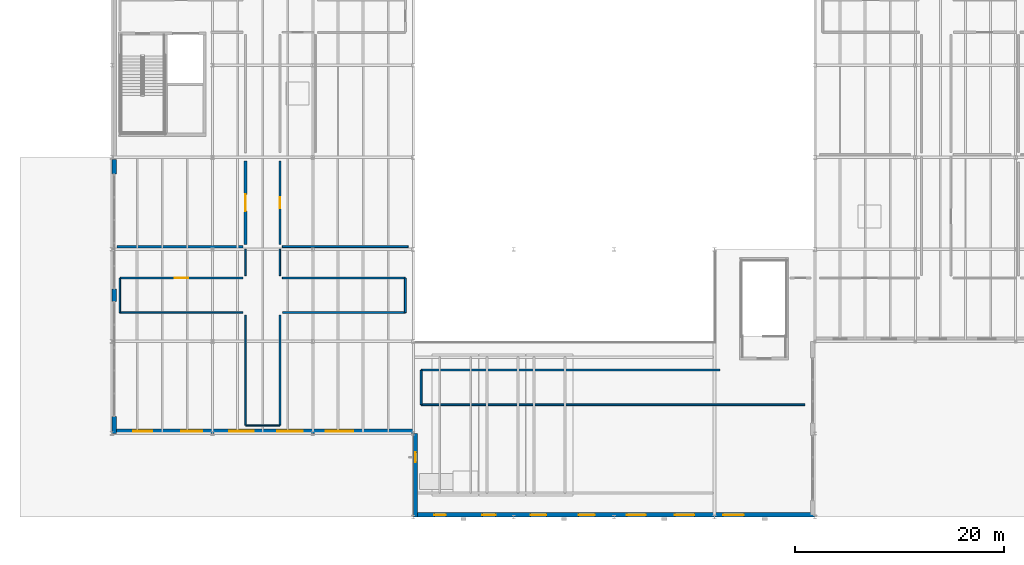
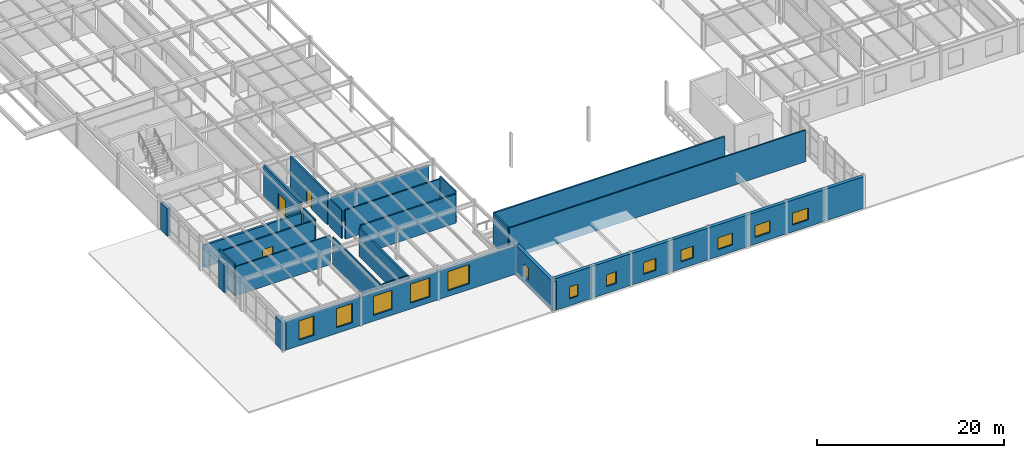
# One storey, part 55 of 77: 24 walls, 13 windows, 3 doors, 16 openings.
"""IFC4 building model written with IfcOpenShell, lengths in metres."""

import ifcopenshell
import ifcopenshell.guid

model = None  # the IFC model being written
_history = None  # IfcOwnerHistory: only IFC2X3 demands one
_inside = {}  # id of a spatial element -> (the spatial element, [elements in it])
_under = {}  # id of a project, library or spatial element -> (it, [spatial elements below it])
_declared = {}  # id of a project -> (the project, [libraries it declares])
_typed = {}  # id of a type object -> (the type object, [elements of that type])
_made_of = {}  # id of a material, layer set ... -> (it, [elements and type objects made of it])


def new_model(schema):
    """Start an empty IFC model of exactly this schema.

    Asked for "IFC4X3", IfcOpenShell would pick the latest addendum, in which some entities
    have other attributes; the version numbers below select the first issue.
    IFC2X3 requires an IfcOwnerHistory on every rooted entity: one is made here for all.
    """
    global model, _history
    if schema == "IFC4X3":
        model = ifcopenshell.file(schema_version=(4, 3, 0, 0))
    else:
        model = ifcopenshell.file(schema=schema)
    _inside.clear()
    _under.clear()
    _declared.clear()
    _typed.clear()
    _made_of.clear()
    _history = None
    if model.schema == "IFC2X3":
        org = make("IfcOrganization", Name="unknown")
        user = make(
            "IfcPersonAndOrganization",
            ThePerson=make("IfcPerson", FamilyName="unknown"),
            TheOrganization=org,
        )
        app = make(
            "IfcApplication",
            ApplicationDeveloper=org,
            Version="unknown",
            ApplicationFullName="unknown",
            ApplicationIdentifier="unknown",
        )
        _history = make(
            "IfcOwnerHistory",
            OwningUser=user,
            OwningApplication=app,
            ChangeAction="ADDED",
            CreationDate=0,
        )
    return model


def make(cls, **values):
    """One entity of the class cls with the attributes given. An attribute that is None is left unset."""
    return model.create_entity(
        cls, **{name: value for name, value in values.items() if value is not None}
    )


def rooted(cls, **values):
    """An entity with a GlobalId (a new one), such as an element, a storey or a relation."""
    return make(cls, GlobalId=ifcopenshell.guid.new(), OwnerHistory=_history, **values)


def si_unit(unit_type, name, prefix=None):
    """IfcSIUnit, for example si_unit("LENGTHUNIT", "METRE", prefix="MILLI")."""
    return make("IfcSIUnit", UnitType=unit_type, Prefix=prefix, Name=name)


def assignment(units):
    """IfcUnitAssignment: the units of a project."""
    return None if units is None else make("IfcUnitAssignment", Units=units)


def point(xyz):
    """IfcCartesianPoint."""
    return None if xyz is None else make("IfcCartesianPoint", Coordinates=xyz)


def direction(xyz):
    """IfcDirection."""
    return None if xyz is None else make("IfcDirection", DirectionRatios=xyz)


def frame(location, z_axis=None, x_axis=None):
    """IfcAxis2Placement3D, a coordinate frame: its origin and axes. An axis left out is left unset."""
    return make(
        "IfcAxis2Placement3D",
        Location=point(location),
        Axis=direction(z_axis),
        RefDirection=direction(x_axis),
    )


def frame_2d(location, x_axis=None):
    """IfcAxis2Placement2D, a coordinate frame in the plane: its origin and x axis."""
    return make(
        "IfcAxis2Placement2D", Location=point(location), RefDirection=direction(x_axis)
    )


def origin():
    """The frame at (0, 0, 0) with its axes left unset."""
    return frame((0.0, 0.0, 0.0))


def place(relative_to, where):
    """IfcLocalPlacement: puts the frame where relative to a parent placement (None: the world)."""
    return make(
        "IfcLocalPlacement", PlacementRelTo=relative_to, RelativePlacement=where
    )


def context(
    kind, dimensions, precision=None, world=None, true_north=None, identifier=None
):
    """IfcGeometricRepresentationContext, for example the 3D "Model" context."""
    return make(
        "IfcGeometricRepresentationContext",
        ContextIdentifier=identifier,
        ContextType=kind,
        CoordinateSpaceDimension=dimensions,
        Precision=precision,
        WorldCoordinateSystem=world,
        TrueNorth=true_north,
    )


def subcontext(parent, identifier, kind, view, scale=None):
    """IfcGeometricRepresentationSubContext, for example "Body" below "Model"."""
    return make(
        "IfcGeometricRepresentationSubContext",
        ContextIdentifier=identifier,
        ContextType=kind,
        ParentContext=parent,
        TargetScale=scale,
        TargetView=view,
    )


def project(units=None, contexts=None):
    """IfcProject with its units and contexts."""
    return rooted(
        "IfcProject",
        Name="project",
        RepresentationContexts=contexts,
        UnitsInContext=assignment(units),
    )


def spatial(cls, under=None, at=None, **own):
    """A site, building, storey or space (cls), placed at a placement, below another one or the project."""
    s = rooted(cls, ObjectPlacement=at, **own)
    if under is not None:
        _under.setdefault(under.id(), (under, []))[1].append(s)
    return s


def profile(cls, at=None, kind="AREA", **sizes):
    """A parametric profile (cls). Its sizes go by their IFC names, for example OverallWidth=200.0."""
    return make(cls, ProfileType=kind, Position=at, **sizes)


def rectangle(**sizes):
    """IfcRectangleProfileDef."""
    return profile("IfcRectangleProfileDef", **sizes)


def extrude(swept, where, along, depth):
    """IfcExtrudedAreaSolid: the profile swept, set in the frame where, extruded along a direction by depth."""
    return make(
        "IfcExtrudedAreaSolid",
        SweptArea=swept,
        Position=where,
        ExtrudedDirection=direction(along),
        Depth=depth,
    )


def shape(context_of_items, identifier, shape_type, items):
    """IfcShapeRepresentation: the items that make up one representation, for example the "Body"."""
    return make(
        "IfcShapeRepresentation",
        ContextOfItems=context_of_items,
        RepresentationIdentifier=identifier,
        RepresentationType=shape_type,
        Items=items,
    )


def material(Name=None, Category=None):
    """IfcMaterial."""
    return make("IfcMaterial", Name=Name, Category=Category)


def layer(
    of_material, thickness, ventilated=None, Name=None, Category=None, Priority=None
):
    """IfcMaterialLayer: one layer of a wall or slab, of a material (None: an air gap)."""
    return make(
        "IfcMaterialLayer",
        Material=of_material,
        LayerThickness=thickness,
        IsVentilated=ventilated,
        Name=Name,
        Category=Category,
        Priority=Priority,
    )


def layer_set(layers, Name=None):
    """IfcMaterialLayerSet."""
    return make("IfcMaterialLayerSet", MaterialLayers=layers, LayerSetName=Name)


def made_of(thing, what):
    """Note that an element or type object is made of a material, layer set ...; save() writes the relation."""
    if what is not None:
        _made_of.setdefault(what.id(), (what, []))[1].append(thing)
    return thing


def type_object(cls, material=None, **own):
    """A type object (cls), such as IfcWallType, which elements share."""
    return made_of(rooted(cls, **own), material)


def element(
    cls,
    number,
    at=None,
    inside=None,
    cuts=None,
    type_object=None,
    material=None,
    context=None,
    identifier="Body",
    shape_type=None,
    held_by="IfcProductDefinitionShape",
    body=None,
    shapes=None,
    **own,
):
    """One element of the class cls, such as IfcWall. Its Tag is "e" and its number.

    at: its placement. inside: the storey or other place that contains it. cuts: it is an
    opening in that element (IfcRelVoidsElement). A single representation is given by context,
    identifier, shape_type and body (its items); several are given by shapes. held_by: the class
    of the entity that holds the representations. save() writes the other relations.
    """
    e = rooted(cls, Tag="e%d" % number, ObjectPlacement=at, **own)
    if body is not None:
        shapes = [shape(context, identifier, shape_type, body)]
    if shapes is not None:
        e.Representation = make(held_by, Representations=shapes)
    if inside is not None:
        _inside.setdefault(inside.id(), (inside, []))[1].append(e)
    if cuts is not None:
        rooted(
            "IfcRelVoidsElement", RelatingBuildingElement=cuts, RelatedOpeningElement=e
        )
    if type_object is not None:
        _typed.setdefault(type_object.id(), (type_object, []))[1].append(e)
    return made_of(e, material)


def fill(opening, filler):
    """IfcRelFillsElement: the door or window that sits in an opening."""
    return rooted(
        "IfcRelFillsElement",
        RelatingOpeningElement=opening,
        RelatedBuildingElement=filler,
    )


def aggregate(whole, parts):
    """IfcRelAggregates: a whole, such as a stair, and the parts it consists of."""
    return rooted("IfcRelAggregates", RelatingObject=whole, RelatedObjects=parts)


def save(model, path):
    """Write the relations noted so far, then the file.

    IfcRelAggregates (storeys below a building ...), IfcRelContainedInSpatialStructure (elements
    in a storey), IfcRelDefinesByType, IfcRelAssociatesMaterial and IfcRelDeclares: one each for
    every whole, place, type object, material and project.
    """
    for whole, parts in _under.values():
        aggregate(whole, parts)
    for where, things in _inside.values():
        rooted(
            "IfcRelContainedInSpatialStructure",
            RelatedElements=things,
            RelatingStructure=where,
        )
    for kind, things in _typed.values():
        rooted("IfcRelDefinesByType", RelatedObjects=things, RelatingType=kind)
    for what, things in _made_of.values():
        rooted("IfcRelAssociatesMaterial", RelatedObjects=things, RelatingMaterial=what)
    for by, libraries in _declared.values():
        rooted("IfcRelDeclares", RelatingContext=by, RelatedDefinitions=libraries)
    model.write(path)


model = new_model("IFC4")

# Units and contexts
model_context = context("Model", 3, precision=1e-05, world=origin(), true_north=direction((0.0, 1.0)))
body_context = subcontext(model_context, "Body", "Model", "MODEL_VIEW")
ifc_project = project(units=[si_unit("LENGTHUNIT", "METRE"), si_unit("AREAUNIT", "SQUARE_METRE"), si_unit("VOLUMEUNIT", "CUBIC_METRE"), si_unit("PLANEANGLEUNIT", "RADIAN"), si_unit("MASSUNIT", "GRAM", prefix="KILO")], contexts=[model_context])

# Site, building, storey
site_placement = place(None, origin())
site = spatial("IfcSite", under=ifc_project, at=site_placement, CompositionType="ELEMENT")
building_placement = place(site_placement, origin())
building = spatial("IfcBuilding", under=site, at=building_placement, Name="Sarnbrook Museum", CompositionType="ELEMENT")
storey_placement = place(building_placement, frame((0.0, 0.0, 5.60009765625)))
storey = spatial("IfcBuildingStorey", under=building, at=storey_placement, Name="L01", CompositionType="ELEMENT", Elevation=5.60009765625)

# Wall, opening, door
ifc_material_1 = material(Name="Concrete N40 (AS 3600, f'c = 40 MPa)", Category="concrete")
ifc_layer_1 = layer(ifc_material_1, 0.260009765625)
ifc_layer_set_1 = layer_set([ifc_layer_1], Name="Concrete N40 (AS 3600, f'c = 40 MPa)")
wall_type_1 = type_object("IfcWallType", Name="FireWall_FW240", PredefinedType="SOLIDWALL", material=ifc_layer_set_1)
wall_1_placement = place(storey_placement, frame((26.35009765625, 38.840087890625, 0.0), z_axis=(0.0, 0.0, 1.0), x_axis=(0.0, -1.0, 0.0)))
wall_1 = element("IfcWall", 1, at=wall_1_placement, inside=storey, type_object=wall_type_1, Name="Interior Partition Wall L01-0419", PredefinedType="SOLIDWALL", context=body_context, shape_type="SweptSolid", body=[
    extrude(rectangle(XDim=7.989990234375, YDim=0.260009765625, at=frame_2d((3.9951171875, 0.0))), origin(), (0.0, 0.0, 1.0), 4.1298828125),
])
opening_1_placement = place(wall_1_placement, frame((3.195068359375, 0.0, 0.0)))
opening_1 = element("IfcOpeningElement", 2, at=opening_1_placement, cuts=wall_1, Name="Opening D-L01-133", PredefinedType="OPENING", context=body_context, shape_type="SweptSolid", body=[
    extrude(rectangle(XDim=1.60009765625, YDim=2.39990234375, at=frame_2d((0.800048828125, 1.199951171875))), frame((0.0, 0.14013671875, 0.0), z_axis=(0.0, -1.0, 0.0), x_axis=(1.0, 0.0, 0.0)), (0.0, 0.0, 1.0), 0.280029296875),
])
ifc_material_2 = material(Name="Patinated Architectural Bronze")
door_type_1 = type_object("IfcDoorType", Name="FireDoor_FD240", OperationType="NOTDEFINED", PredefinedType="DOOR", material=ifc_material_2)
door_1_placement = place(opening_1_placement, origin())
door_1 = element("IfcDoor", 3, at=door_1_placement, inside=storey, type_object=door_type_1, Name="Collection Archive Vault L01-41 Door D-L01-133", OperationType="DOUBLE_DOOR_SINGLE_SWING", OverallHeight=2.39990234375, OverallWidth=1.60009765625, PredefinedType="DOOR", context=body_context, shape_type="SweptSolid", body=[
    extrude(rectangle(XDim=1.60009765625, YDim=2.39990234375, at=frame_2d((0.800048828125, 1.199951171875))), frame((0.0, 0.02490234375, 0.0), z_axis=(0.0, -1.0, 0.0), x_axis=(1.0, 0.0, 0.0)), (0.0, 0.0, 1.0), 0.050048828125),
])
fill(opening_1, door_1)

# Walls
wall_2_placement = place(storey_placement, frame((14.080078125, 30.659912109375, 0.0), z_axis=(0.0, 0.0, 1.0), x_axis=(1.0, 0.0, 0.0)))
element("IfcWall", 4, at=wall_2_placement, inside=storey, type_object=wall_type_1, Name="Interior Partition Wall L01-0449", PredefinedType="SOLIDWALL", context=body_context, shape_type="SweptSolid", body=[
    extrude(rectangle(XDim=12.0400390625, YDim=0.260009765625, at=frame_2d((6.02001953125, 0.0))), origin(), (0.0, 0.0, 1.0), 2.89990234375),
])
ifc_material_3 = material(Name="Fire-Rated Acoustic Gypsum Plasterboard")
ifc_layer_2 = layer(ifc_material_3, 0.1201171875)
ifc_layer_set_2 = layer_set([ifc_layer_2], Name="Fire-Rated Acoustic Gypsum Plasterboard")
wall_type_2 = type_object("IfcWallType", Name="PartWall_P120", PredefinedType="PARTITIONING", material=ifc_layer_set_2)
wall_3_placement = place(storey_placement, frame((26.360107421875, 13.550048828125, 0.0), z_axis=(0.0, 0.0, 1.0), x_axis=(1.0, 0.0, 0.0)))
element("IfcWall", 5, at=wall_3_placement, inside=storey, type_object=wall_type_2, Name="Interior Partition Wall L01-0412", PredefinedType="PARTITIONING", context=body_context, shape_type="SweptSolid", body=[
    extrude(rectangle(XDim=3.27978515625, YDim=0.1201171875, at=frame_2d((1.639892578125, 0.0))), origin(), (0.0, 0.0, 1.0), 3.90380859375),
])
ifc_layer_3 = layer(ifc_material_3, 0.135009765625)
ifc_layer_set_3 = layer_set([ifc_layer_3], Name="Fire-Rated Acoustic Gypsum Plasterboard")
wall_type_3 = type_object("IfcWallType", Name="PartWall_P135", PredefinedType="PARTITIONING", material=ifc_layer_set_3)
wall_4_placement = place(storey_placement, frame((26.35009765625, 24.1201171875, 0.0), z_axis=(0.0, 0.0, 1.0), x_axis=(0.0, -1.0, 0.0)))
element("IfcWall", 6, at=wall_4_placement, inside=storey, type_object=wall_type_3, Name="Interior Partition Wall L01-0411", PredefinedType="PARTITIONING", context=body_context, shape_type="SweptSolid", body=[
    extrude(rectangle(XDim=10.56005859375, YDim=0.135009765625, at=frame_2d((5.280029296875, 0.0))), origin(), (0.0, 0.0, 1.0), 3.65283203125),
])
wall_5_placement = place(storey_placement, frame((26.35009765625, 30.429931640625, 0.0), z_axis=(0.0, 0.0, 1.0), x_axis=(0.0, -1.0, 0.0)))
element("IfcWall", 7, at=wall_5_placement, inside=storey, type_object=wall_type_3, Name="Interior Partition Wall L01-0418", PredefinedType="PARTITIONING", context=body_context, shape_type="SweptSolid", body=[
    extrude(rectangle(XDim=2.550048828125, YDim=0.135009765625, at=frame_2d((1.27490234375, 0.0))), origin(), (0.0, 0.0, 1.0), 3.65283203125),
])
ifc_layer_4 = layer(ifc_material_3, 0.14990234375)
ifc_layer_set_4 = layer_set([ifc_layer_4], Name="Fire-Rated Acoustic Gypsum Plasterboard")
wall_type_4 = type_object("IfcWallType", Name="PartWall_P150", PredefinedType="PARTITIONING", material=ifc_layer_set_4)
wall_6_placement = place(storey_placement, frame((14.360107421875, 24.35009765625, 0.0), z_axis=(0.0, 0.0, 1.0), x_axis=(1.0, 0.0, 0.0)))
element("IfcWall", 8, at=wall_6_placement, inside=storey, type_object=wall_type_4, Name="Interior Partition Wall L01-0410", PredefinedType="PARTITIONING", context=body_context, shape_type="SweptSolid", body=[
    extrude(rectangle(XDim=11.760009765625, YDim=0.14990234375, at=frame_2d((5.8798828125, 0.0))), origin(), (0.0, 0.0, 1.0), 3.802978515625),
])
wall_7_placement = place(storey_placement, frame((29.64990234375, 27.8798828125, 0.0), z_axis=(0.0, 0.0, 1.0), x_axis=(0.0, 1.0, 0.0)))
element("IfcWall", 9, at=wall_7_placement, inside=storey, type_object=wall_type_4, Name="Interior Partition Wall L01-0417", PredefinedType="PARTITIONING", context=body_context, shape_type="SweptSolid", body=[
    extrude(rectangle(XDim=2.550048828125, YDim=0.14990234375, at=frame_2d((1.27490234375, 0.0))), origin(), (0.0, 0.0, 1.0), 3.65283203125),
])
ifc_layer_5 = layer(ifc_material_3, 0.1650390625)
ifc_layer_set_5 = layer_set([ifc_layer_5], Name="Fire-Rated Acoustic Gypsum Plasterboard")
wall_type_5 = type_object("IfcWallType", Name="PartWall_P165", PredefinedType="PARTITIONING", material=ifc_layer_set_5)
wall_8_placement = place(storey_placement, frame((43.159912109375, 15.550048828125, 0.0), z_axis=(0.0, 0.0, 1.0), x_axis=(1.0, 0.0, 0.0)))
element("IfcWall", 10, at=wall_8_placement, inside=storey, type_object=wall_type_5, Name="Interior Partition Wall L01-0374", PredefinedType="PARTITIONING", context=body_context, shape_type="SweptSolid", body=[
    extrude(rectangle(XDim=36.68017578125, YDim=0.1650390625, at=frame_2d((18.340087890625, 0.0))), origin(), (0.0, 0.0, 1.0), 4.1298828125),
])
wall_9_placement = place(storey_placement, frame((14.35009765625, 27.639892578125, 0.0), z_axis=(0.0, 0.0, 1.0), x_axis=(0.0, -1.0, 0.0)))
element("IfcWall", 11, at=wall_9_placement, inside=storey, type_object=wall_type_5, Name="Interior Partition Wall L01-0409", PredefinedType="PARTITIONING", context=body_context, shape_type="SweptSolid", body=[
    extrude(rectangle(XDim=3.27978515625, YDim=0.1650390625, at=frame_2d((1.639892578125, 0.0))), origin(), (0.0, 0.0, 1.0), 4.1298828125),
])
wall_10_placement = place(storey_placement, frame((41.639892578125, 27.64990234375, 0.0), z_axis=(0.0, 0.0, 1.0), x_axis=(-1.0, 0.0, 0.0)))
element("IfcWall", 12, at=wall_10_placement, inside=storey, type_object=wall_type_5, Name="Interior Partition Wall L01-0416", PredefinedType="PARTITIONING", context=body_context, shape_type="SweptSolid", body=[
    extrude(rectangle(XDim=11.760009765625, YDim=0.1650390625, at=frame_2d((5.8798828125, 0.0))), origin(), (0.0, 0.0, 1.0), 3.802978515625),
])
ifc_layer_6 = layer(ifc_material_3, 0.179931640625)
ifc_layer_set_6 = layer_set([ifc_layer_6], Name="Fire-Rated Acoustic Gypsum Plasterboard")
wall_type_6 = type_object("IfcWallType", Name="PartWall_P180", PredefinedType="PARTITIONING", material=ifc_layer_set_6)
wall_11_placement = place(storey_placement, frame((43.14990234375, 18.840087890625, 0.0), z_axis=(0.0, 0.0, 1.0), x_axis=(0.0, -1.0, 0.0)))
element("IfcWall", 13, at=wall_11_placement, inside=storey, type_object=wall_type_6, Name="Interior Partition Wall L01-0373", PredefinedType="PARTITIONING", context=body_context, shape_type="SweptSolid", body=[
    extrude(rectangle(XDim=3.280029296875, YDim=0.179931640625, at=frame_2d((1.64013671875, 0.0))), origin(), (0.0, 0.0, 1.0), 4.1298828125),
])

# Wall, opening, door
wall_12_placement = place(storey_placement, frame((26.1201171875, 27.64990234375, 0.0), z_axis=(0.0, 0.0, 1.0), x_axis=(-1.0, 0.0, 0.0)))
wall_12 = element("IfcWall", 14, at=wall_12_placement, inside=storey, type_object=wall_type_6, Name="Interior Partition Wall L01-0408", PredefinedType="PARTITIONING", context=body_context, shape_type="SweptSolid", body=[
    extrude(rectangle(XDim=11.760009765625, YDim=0.179931640625, at=frame_2d((5.8798828125, 0.0))), origin(), (0.0, 0.0, 1.0), 3.802978515625),
])
opening_2_placement = place(wall_12_placement, frame((5.239990234375, 0.0, 0.0)))
opening_2 = element("IfcOpeningElement", 15, at=opening_2_placement, cuts=wall_12, Name="Opening D-L01-132", PredefinedType="OPENING", context=body_context, shape_type="SweptSolid", body=[
    extrude(rectangle(XDim=1.280029296875, YDim=2.239990234375, at=frame_2d((0.64013671875, 1.1201171875))), frame((0.0, 0.10009765625, 0.0), z_axis=(0.0, -1.0, 0.0), x_axis=(1.0, 0.0, 0.0)), (0.0, 0.0, 1.0), 0.199951171875),
])
ifc_material_4 = material(Name="Tasmanian Oak Acoustic Timber", Category="wood")
door_type_2 = type_object("IfcDoorType", Name="IntDoor_DT18", OperationType="NOTDEFINED", PredefinedType="DOOR", material=ifc_material_4)
door_2_placement = place(opening_2_placement, frame((1.280029296875, 0.0, 0.0), z_axis=(0.0, 0.0, 1.0), x_axis=(-1.0, 0.0, 0.0)))
door_2 = element("IfcDoor", 16, at=door_2_placement, inside=storey, type_object=door_type_2, Name="Conservation Science Laboratory L01-40 Door D-L01-132", OperationType="SINGLE_SWING_RIGHT", OverallHeight=2.239990234375, OverallWidth=1.280029296875, PredefinedType="DOOR", context=body_context, shape_type="SweptSolid", body=[
    extrude(rectangle(XDim=1.280029296875, YDim=2.239990234375, at=frame_2d((0.64013671875, 1.1201171875))), frame((0.0, 0.02490234375, 0.0), z_axis=(0.0, -1.0, 0.0), x_axis=(1.0, 0.0, 0.0)), (0.0, 0.0, 1.0), 0.050048828125),
])
fill(opening_2, door_2)

# Walls
wall_13_placement = place(storey_placement, frame((41.64990234375, 24.360107421875, 0.0), z_axis=(0.0, 0.0, 1.0), x_axis=(0.0, 1.0, 0.0)))
element("IfcWall", 17, at=wall_13_placement, inside=storey, type_object=wall_type_6, Name="Interior Partition Wall L01-0415", PredefinedType="PARTITIONING", context=body_context, shape_type="SweptSolid", body=[
    extrude(rectangle(XDim=3.27978515625, YDim=0.179931640625, at=frame_2d((1.639892578125, 0.0))), origin(), (0.0, 0.0, 1.0), 4.1298828125),
])
wall_14_placement = place(storey_placement, frame((29.8798828125, 30.659912109375, 0.0), z_axis=(0.0, 0.0, 1.0), x_axis=(1.0, 0.0, 0.0)))
element("IfcWall", 18, at=wall_14_placement, inside=storey, type_object=wall_type_6, Name="Interior Partition Wall L01-0450", PredefinedType="PARTITIONING", context=body_context, shape_type="SweptSolid", body=[
    extrude(rectangle(XDim=12.0400390625, YDim=0.179931640625, at=frame_2d((6.02001953125, 0.0))), origin(), (0.0, 0.0, 1.0), 3.65283203125),
])
ifc_layer_7 = layer(ifc_material_3, 0.195068359375)
ifc_layer_set_7 = layer_set([ifc_layer_7], Name="Fire-Rated Acoustic Gypsum Plasterboard")
wall_type_7 = type_object("IfcWallType", Name="PartWall_P195", PredefinedType="PARTITIONING", material=ifc_layer_set_7)
wall_15_placement = place(storey_placement, frame((71.719970703125, 18.85009765625, 0.0), z_axis=(0.0, 0.0, 1.0), x_axis=(-1.0, 0.0, 0.0)))
element("IfcWall", 19, at=wall_15_placement, inside=storey, type_object=wall_type_7, Name="Interior Partition Wall L01-0372", PredefinedType="PARTITIONING", context=body_context, shape_type="SweptSolid", body=[
    extrude(rectangle(XDim=28.56005859375, YDim=0.195068359375, at=frame_2d((14.280029296875, 0.0))), origin(), (0.0, 0.0, 1.0), 4.1298828125),
])
wall_16_placement = place(storey_placement, frame((29.8798828125, 24.35009765625, 0.0), z_axis=(0.0, 0.0, 1.0), x_axis=(1.0, 0.0, 0.0)))
element("IfcWall", 20, at=wall_16_placement, inside=storey, type_object=wall_type_7, Name="Interior Partition Wall L01-0414", PredefinedType="PARTITIONING", context=body_context, shape_type="SweptSolid", body=[
    extrude(rectangle(XDim=11.760009765625, YDim=0.195068359375, at=frame_2d((5.8798828125, 0.0))), origin(), (0.0, 0.0, 1.0), 3.802978515625),
])
ifc_layer_8 = layer(ifc_material_3, 0.2099609375)
ifc_layer_set_8 = layer_set([ifc_layer_8], Name="Fire-Rated Acoustic Gypsum Plasterboard")
wall_type_8 = type_object("IfcWallType", Name="PartWall_P210", PredefinedType="PARTITIONING", material=ifc_layer_set_8)
wall_17_placement = place(storey_placement, frame((29.64990234375, 13.56005859375, 0.0), z_axis=(0.0, 0.0, 1.0), x_axis=(0.0, 1.0, 0.0)))
element("IfcWall", 21, at=wall_17_placement, inside=storey, type_object=wall_type_8, Name="Interior Partition Wall L01-0413", PredefinedType="PARTITIONING", context=body_context, shape_type="SweptSolid", body=[
    extrude(rectangle(XDim=10.56005859375, YDim=0.2099609375, at=frame_2d((5.280029296875, 0.0))), origin(), (0.0, 0.0, 1.0), 3.65283203125),
])

# Wall, opening, door
wall_18_placement = place(storey_placement, frame((29.64990234375, 30.85009765625, 0.0), z_axis=(0.0, 0.0, 1.0), x_axis=(0.0, 1.0, 0.0)))
wall_18 = element("IfcWall", 22, at=wall_18_placement, inside=storey, type_object=wall_type_8, Name="Interior Partition Wall L01-0420", PredefinedType="PARTITIONING", context=body_context, shape_type="SweptSolid", body=[
    extrude(rectangle(XDim=7.989990234375, YDim=0.2099609375, at=frame_2d((3.9951171875, 0.0))), origin(), (0.0, 0.0, 1.0), 4.1298828125),
])
opening_3_placement = place(wall_18_placement, frame((3.469970703125, 0.0, 0.0)))
opening_3 = element("IfcOpeningElement", 23, at=opening_3_placement, cuts=wall_18, Name="Opening D-L01-134", PredefinedType="OPENING", context=body_context, shape_type="SweptSolid", body=[
    extrude(rectangle(XDim=1.050048828125, YDim=2.14990234375, at=frame_2d((0.52490234375, 1.074951171875))), frame((0.0, 0.114990234375, 0.0), z_axis=(0.0, -1.0, 0.0), x_axis=(1.0, 0.0, 0.0)), (0.0, 0.0, 1.0), 0.22998046875),
])
door_type_3 = type_object("IfcDoorType", Name="FireDoor_FD60", OperationType="NOTDEFINED", PredefinedType="DOOR", material=ifc_material_4)
door_3_placement = place(opening_3_placement, frame((1.050048828125, 0.0, 0.0), z_axis=(0.0, 0.0, 1.0), x_axis=(-1.0, 0.0, 0.0)))
door_3 = element("IfcDoor", 24, at=door_3_placement, inside=storey, type_object=door_type_3, Name="Conservation Science Laboratory L01-42 Door D-L01-134", OperationType="SINGLE_SWING_LEFT", OverallHeight=2.14990234375, OverallWidth=1.050048828125, PredefinedType="DOOR", context=body_context, shape_type="SweptSolid", body=[
    extrude(rectangle(XDim=1.050048828125, YDim=2.14990234375, at=frame_2d((0.52490234375, 1.074951171875))), frame((0.0, 0.02490234375, 0.0), z_axis=(0.0, -1.0, 0.0), x_axis=(1.0, 0.0, 0.0)), (0.0, 0.0, 1.0), 0.050048828125),
])
fill(opening_3, door_3)

# Walls
ifc_material_5 = material(Name="Barrabool Sandstone Ashlar Cladding", Category="masonry")
ifc_layer_9 = layer(ifc_material_5, 0.419921875)
ifc_layer_set_9 = layer_set([ifc_layer_9], Name="Barrabool Sandstone Ashlar Cladding")
wall_type_9 = type_object("IfcWallType", Name="Wall_SandstoneExt420", PredefinedType="SOLIDWALL", material=ifc_layer_set_9)
wall_19_placement = place(storey_placement, frame((13.81005859375, 38.98388671875, 0.0), z_axis=(0.0, 0.0, 1.0), x_axis=(0.0, -1.0, 0.0)))
element("IfcWall", 25, at=wall_19_placement, inside=storey, type_object=wall_type_9, Name="Classical Sandstone Facade Pier L01-12.1", PredefinedType="SOLIDWALL", context=body_context, shape_type="SweptSolid", body=[
    extrude(rectangle(XDim=1.3837890625, YDim=0.419921875, at=frame_2d((0.69189453125, 0.0))), origin(), (0.0, 0.0, 1.0), 3.597900390625),
])
wall_20_placement = place(storey_placement, frame((13.81005859375, 26.60009765625, 0.0), z_axis=(0.0, 0.0, 1.0), x_axis=(0.0, -1.0, 0.0)))
element("IfcWall", 26, at=wall_20_placement, inside=storey, type_object=wall_type_9, Name="Classical Sandstone Facade Pier L01-12.2", PredefinedType="SOLIDWALL", context=body_context, shape_type="SweptSolid", body=[
    extrude(rectangle(XDim=1.2001953125, YDim=0.419921875, at=frame_2d((0.60009765625, 0.0))), origin(), (0.0, 0.0, 1.0), 3.81787109375),
])
wall_21_placement = place(storey_placement, frame((13.81005859375, 14.39990234375, 0.0), z_axis=(0.0, 0.0, 1.0), x_axis=(0.0, -1.0, 0.0)))
element("IfcWall", 27, at=wall_21_placement, inside=storey, type_object=wall_type_9, Name="Classical Sandstone Facade Pier L01-12.3", PredefinedType="SOLIDWALL", context=body_context, shape_type="SweptSolid", body=[
    extrude(rectangle(XDim=1.599853515625, YDim=0.419921875, at=frame_2d((0.7998046875, 0.0))), origin(), (0.0, 0.0, 1.0), 3.66796875),
])

# Wall, openings, windows
wall_22_placement = place(storey_placement, frame((13.81591796875, 13.010009765625, 0.0), z_axis=(0.0, 0.0, 1.0), x_axis=(1.0, 0.0, 0.0)))
wall_22 = element("IfcWall", 28, at=wall_22_placement, inside=storey, type_object=wall_type_9, Name="Classical Sandstone Facade Wall L01-13", PredefinedType="SOLIDWALL", context=body_context, shape_type="SweptSolid", body=[
    extrude(rectangle(XDim=28.583984375, YDim=0.419921875, at=frame_2d((14.2919921875, 0.0))), origin(), (0.0, 0.0, 1.0), 3.66796875),
])
opening_4_placement = place(wall_22_placement, frame((1.800048828125, 0.0, 0.75)))
opening_4 = element("IfcOpeningElement", 29, at=opening_4_placement, cuts=wall_22, Name="Opening WT-40", PredefinedType="OPENING", context=body_context, shape_type="SweptSolid", body=[
    extrude(rectangle(XDim=1.85009765625, YDim=2.5, at=frame_2d((0.925048828125, 1.25))), frame((0.0, 0.219970703125, 0.0), z_axis=(0.0, -1.0, 0.0), x_axis=(1.0, 0.0, 0.0)), (0.0, 0.0, 1.0), 0.43994140625),
])
opening_5_placement = place(wall_22_placement, frame((6.39990234375, 0.0, 0.75)))
opening_5 = element("IfcOpeningElement", 30, at=opening_5_placement, cuts=wall_22, Name="Opening WT-41", PredefinedType="OPENING", context=body_context, shape_type="SweptSolid", body=[
    extrude(rectangle(XDim=2.0, YDim=2.5, at=frame_2d((1.0, 1.25))), frame((0.0, 0.219970703125, 0.0), z_axis=(0.0, -1.0, 0.0), x_axis=(1.0, 0.0, 0.0)), (0.0, 0.0, 1.0), 0.43994140625),
])
opening_6_placement = place(wall_22_placement, frame((11.0, 0.0, 0.75)))
opening_6 = element("IfcOpeningElement", 31, at=opening_6_placement, cuts=wall_22, Name="Opening WT-42", PredefinedType="OPENING", context=body_context, shape_type="SweptSolid", body=[
    extrude(rectangle(XDim=2.320068359375, YDim=2.5, at=frame_2d((1.16015625, 1.25))), frame((0.0, 0.219970703125, 0.0), z_axis=(0.0, -1.0, 0.0), x_axis=(1.0, 0.0, 0.0)), (0.0, 0.0, 1.0), 0.43994140625),
])
opening_7_placement = place(wall_22_placement, frame((15.60009765625, 0.0, 0.75)))
opening_7 = element("IfcOpeningElement", 32, at=opening_7_placement, cuts=wall_22, Name="Opening WT-43", PredefinedType="OPENING", context=body_context, shape_type="SweptSolid", body=[
    extrude(rectangle(XDim=2.39990234375, YDim=2.5, at=frame_2d((1.199951171875, 1.25))), frame((0.0, 0.219970703125, 0.0), z_axis=(0.0, -1.0, 0.0), x_axis=(1.0, 0.0, 0.0)), (0.0, 0.0, 1.0), 0.43994140625),
])
opening_8_placement = place(wall_22_placement, frame((20.199951171875, 0.0, 0.75)))
opening_8 = element("IfcOpeningElement", 33, at=opening_8_placement, cuts=wall_22, Name="Opening WT-44", PredefinedType="OPENING", context=body_context, shape_type="SweptSolid", body=[
    extrude(rectangle(XDim=2.64990234375, YDim=2.5, at=frame_2d((1.324951171875, 1.25))), frame((0.0, 0.219970703125, 0.0), z_axis=(0.0, -1.0, 0.0), x_axis=(1.0, 0.0, 0.0)), (0.0, 0.0, 1.0), 0.43994140625),
])
ifc_material_6 = material(Name="Double-Glazed Low-Iron Laminated Safety Glass", Category="glass")
window_type_1 = type_object("IfcWindowType", Name="Window_Classical_WT40", PartitioningType="SINGLE_PANEL", PredefinedType="WINDOW", material=ifc_material_6)
window_1_placement = place(opening_4_placement, origin())
window_1 = element("IfcWindow", 34, at=window_1_placement, inside=storey, type_object=window_type_1, Name="Classical Bronze Casement Window WIN:L01:0040", OverallHeight=2.5, OverallWidth=1.85009765625, PartitioningType="SINGLE_PANEL", PredefinedType="WINDOW", context=body_context, shape_type="SweptSolid", body=[
    extrude(rectangle(XDim=1.85009765625, YDim=2.5, at=frame_2d((0.925048828125, 1.25))), frame((0.0, 0.030029296875, 0.0), z_axis=(0.0, -1.0, 0.0), x_axis=(1.0, 0.0, 0.0)), (0.0, 0.0, 1.0), 0.06005859375),
])
fill(opening_4, window_1)
window_type_2 = type_object("IfcWindowType", Name="Window_Classical_WT41", PartitioningType="SINGLE_PANEL", PredefinedType="WINDOW", material=ifc_material_6)
window_2_placement = place(opening_5_placement, origin())
window_2 = element("IfcWindow", 35, at=window_2_placement, inside=storey, type_object=window_type_2, Name="Classical Bronze Casement Window WIN:L01:0041", OverallHeight=2.5, OverallWidth=2.0, PartitioningType="SINGLE_PANEL", PredefinedType="WINDOW", context=body_context, shape_type="SweptSolid", body=[
    extrude(rectangle(XDim=2.0, YDim=2.5, at=frame_2d((1.0, 1.25))), frame((0.0, 0.030029296875, 0.0), z_axis=(0.0, -1.0, 0.0), x_axis=(1.0, 0.0, 0.0)), (0.0, 0.0, 1.0), 0.06005859375),
])
fill(opening_5, window_2)
window_type_3 = type_object("IfcWindowType", Name="Window_Classical_WT42", PartitioningType="SINGLE_PANEL", PredefinedType="WINDOW", material=ifc_material_6)
window_3_placement = place(opening_6_placement, origin())
window_3 = element("IfcWindow", 36, at=window_3_placement, inside=storey, type_object=window_type_3, Name="Classical Bronze Casement Window WIN:L01:0042", OverallHeight=2.5, OverallWidth=2.320068359375, PartitioningType="SINGLE_PANEL", PredefinedType="WINDOW", context=body_context, shape_type="SweptSolid", body=[
    extrude(rectangle(XDim=2.320068359375, YDim=2.5, at=frame_2d((1.16015625, 1.25))), frame((0.0, 0.030029296875, 0.0), z_axis=(0.0, -1.0, 0.0), x_axis=(1.0, 0.0, 0.0)), (0.0, 0.0, 1.0), 0.06005859375),
])
fill(opening_6, window_3)
window_type_4 = type_object("IfcWindowType", Name="Window_Classical_WT43", PartitioningType="SINGLE_PANEL", PredefinedType="WINDOW", material=ifc_material_6)
window_4_placement = place(opening_7_placement, origin())
window_4 = element("IfcWindow", 37, at=window_4_placement, inside=storey, type_object=window_type_4, Name="Classical Bronze Casement Window WIN:L01:0043", OverallHeight=2.5, OverallWidth=2.39990234375, PartitioningType="SINGLE_PANEL", PredefinedType="WINDOW", context=body_context, shape_type="SweptSolid", body=[
    extrude(rectangle(XDim=2.39990234375, YDim=2.5, at=frame_2d((1.199951171875, 1.25))), frame((0.0, 0.030029296875, 0.0), z_axis=(0.0, -1.0, 0.0), x_axis=(1.0, 0.0, 0.0)), (0.0, 0.0, 1.0), 0.06005859375),
])
fill(opening_7, window_4)
window_type_5 = type_object("IfcWindowType", Name="Window_Classical_WT44", PartitioningType="SINGLE_PANEL", PredefinedType="WINDOW", material=ifc_material_6)
window_5_placement = place(opening_8_placement, origin())
window_5 = element("IfcWindow", 38, at=window_5_placement, inside=storey, type_object=window_type_5, Name="Classical Bronze Casement Window WIN:L01:0044", OverallHeight=2.5, OverallWidth=2.64990234375, PartitioningType="SINGLE_PANEL", PredefinedType="WINDOW", context=body_context, shape_type="SweptSolid", body=[
    extrude(rectangle(XDim=2.64990234375, YDim=2.5, at=frame_2d((1.324951171875, 1.25))), frame((0.0, 0.030029296875, 0.0), z_axis=(0.0, -1.0, 0.0), x_axis=(1.0, 0.0, 0.0)), (0.0, 0.0, 1.0), 0.06005859375),
])
fill(opening_8, window_5)

# Wall, opening, window
wall_23_placement = place(storey_placement, frame((42.610107421875, 12.800048828125, 0.0), z_axis=(0.0, 0.0, 1.0), x_axis=(0.0, -1.0, 0.0)))
wall_23 = element("IfcWall", 39, at=wall_23_placement, inside=storey, type_object=wall_type_9, Name="Classical Sandstone Facade Wall L01-14", PredefinedType="SOLIDWALL", context=body_context, shape_type="SweptSolid", body=[
    extrude(rectangle(XDim=8.0, YDim=0.419921875, at=frame_2d((4.0, 0.0))), origin(), (0.0, 0.0, 1.0), 3.81787109375),
])
opening_9_placement = place(wall_23_placement, frame((1.800048828125, 0.0, 0.89990234375)))
opening_9 = element("IfcOpeningElement", 40, at=opening_9_placement, cuts=wall_23, Name="Opening WT-01", PredefinedType="OPENING", context=body_context, shape_type="SweptSolid", body=[
    extrude(rectangle(XDim=0.949951171875, YDim=1.550048828125, at=frame_2d((0.47509765625, 0.77490234375))), frame((0.0, 0.219970703125, 0.0), z_axis=(0.0, -1.0, 0.0), x_axis=(1.0, 0.0, 0.0)), (0.0, 0.0, 1.0), 0.43994140625),
])
window_type_6 = type_object("IfcWindowType", Name="Window_Classical_WT01", PartitioningType="SINGLE_PANEL", PredefinedType="WINDOW", material=ifc_material_6)
window_6_placement = place(opening_9_placement, origin())
window_6 = element("IfcWindow", 41, at=window_6_placement, inside=storey, type_object=window_type_6, Name="Classical Bronze Casement Window WIN:L01:0045", OverallHeight=1.550048828125, OverallWidth=0.949951171875, PartitioningType="SINGLE_PANEL", PredefinedType="WINDOW", context=body_context, shape_type="SweptSolid", body=[
    extrude(rectangle(XDim=0.949951171875, YDim=1.550048828125, at=frame_2d((0.47509765625, 0.77490234375))), frame((0.0, 0.030029296875, 0.0), z_axis=(0.0, -1.0, 0.0), x_axis=(1.0, 0.0, 0.0)), (0.0, 0.0, 1.0), 0.06005859375),
])
fill(opening_9, window_6)

# Wall, openings, windows
wall_24_placement = place(storey_placement, frame((42.615966796875, 5.010009765625, 0.0), z_axis=(0.0, 0.0, 1.0), x_axis=(1.0, 0.0, 0.0)))
wall_24 = element("IfcWall", 42, at=wall_24_placement, inside=storey, type_object=wall_type_9, Name="Classical Sandstone Facade Wall L01-15", PredefinedType="SOLIDWALL", context=body_context, shape_type="SweptSolid", body=[
    extrude(rectangle(XDim=38.18408203125, YDim=0.419921875, at=frame_2d((19.092041015625, 0.0))), origin(), (0.0, 0.0, 1.0), 4.159912109375),
])
opening_10_placement = place(wall_24_placement, frame((1.800048828125, 0.0, 0.89990234375)))
opening_10 = element("IfcOpeningElement", 43, at=opening_10_placement, cuts=wall_24, Name="Opening WT-02", PredefinedType="OPENING", context=body_context, shape_type="SweptSolid", body=[
    extrude(rectangle(XDim=1.10009765625, YDim=1.550048828125, at=frame_2d((0.550048828125, 0.77490234375))), frame((0.0, 0.219970703125, 0.0), z_axis=(0.0, -1.0, 0.0), x_axis=(1.0, 0.0, 0.0)), (0.0, 0.0, 1.0), 0.43994140625),
])
opening_11_placement = place(wall_24_placement, frame((6.39990234375, 0.0, 0.89990234375)))
opening_11 = element("IfcOpeningElement", 44, at=opening_11_placement, cuts=wall_24, Name="Opening WT-03", PredefinedType="OPENING", context=body_context, shape_type="SweptSolid", body=[
    extrude(rectangle(XDim=1.25, YDim=1.550048828125, at=frame_2d((0.625, 0.77490234375))), frame((0.0, 0.219970703125, 0.0), z_axis=(0.0, -1.0, 0.0), x_axis=(1.0, 0.0, 0.0)), (0.0, 0.0, 1.0), 0.43994140625),
])
opening_12_placement = place(wall_24_placement, frame((11.0, 0.0, 0.89990234375)))
opening_12 = element("IfcOpeningElement", 45, at=opening_12_placement, cuts=wall_24, Name="Opening WT-04", PredefinedType="OPENING", context=body_context, shape_type="SweptSolid", body=[
    extrude(rectangle(XDim=1.52001953125, YDim=1.550048828125, at=frame_2d((0.760009765625, 0.77490234375))), frame((0.0, 0.219970703125, 0.0), z_axis=(0.0, -1.0, 0.0), x_axis=(1.0, 0.0, 0.0)), (0.0, 0.0, 1.0), 0.43994140625),
])
opening_13_placement = place(wall_24_placement, frame((15.60009765625, 0.0, 0.89990234375)))
opening_13 = element("IfcOpeningElement", 46, at=opening_13_placement, cuts=wall_24, Name="Opening WT-05", PredefinedType="OPENING", context=body_context, shape_type="SweptSolid", body=[
    extrude(rectangle(XDim=1.550048828125, YDim=1.550048828125, at=frame_2d((0.77490234375, 0.77490234375))), frame((0.0, 0.219970703125, 0.0), z_axis=(0.0, -1.0, 0.0), x_axis=(1.0, 0.0, 0.0)), (0.0, 0.0, 1.0), 0.43994140625),
])
opening_14_placement = place(wall_24_placement, frame((20.199951171875, 0.0, 0.89990234375)))
opening_14 = element("IfcOpeningElement", 47, at=opening_14_placement, cuts=wall_24, Name="Opening WT-06", PredefinedType="OPENING", context=body_context, shape_type="SweptSolid", body=[
    extrude(rectangle(XDim=1.820068359375, YDim=1.550048828125, at=frame_2d((0.91015625, 0.77490234375))), frame((0.0, 0.219970703125, 0.0), z_axis=(0.0, -1.0, 0.0), x_axis=(1.0, 0.0, 0.0)), (0.0, 0.0, 1.0), 0.43994140625),
])
opening_15_placement = place(wall_24_placement, frame((24.800048828125, 0.0, 0.89990234375)))
opening_15 = element("IfcOpeningElement", 48, at=opening_15_placement, cuts=wall_24, Name="Opening WT-07", PredefinedType="OPENING", context=body_context, shape_type="SweptSolid", body=[
    extrude(rectangle(XDim=1.85009765625, YDim=1.550048828125, at=frame_2d((0.925048828125, 0.77490234375))), frame((0.0, 0.219970703125, 0.0), z_axis=(0.0, -1.0, 0.0), x_axis=(1.0, 0.0, 0.0)), (0.0, 0.0, 1.0), 0.43994140625),
])
opening_16_placement = place(wall_24_placement, frame((29.39990234375, 0.0, 0.89990234375)))
opening_16 = element("IfcOpeningElement", 49, at=opening_16_placement, cuts=wall_24, Name="Opening WT-08", PredefinedType="OPENING", context=body_context, shape_type="SweptSolid", body=[
    extrude(rectangle(XDim=2.0, YDim=1.550048828125, at=frame_2d((1.0, 0.77490234375))), frame((0.0, 0.219970703125, 0.0), z_axis=(0.0, -1.0, 0.0), x_axis=(1.0, 0.0, 0.0)), (0.0, 0.0, 1.0), 0.43994140625),
])
window_type_7 = type_object("IfcWindowType", Name="Window_Classical_WT02", PartitioningType="SINGLE_PANEL", PredefinedType="WINDOW", material=ifc_material_6)
window_7_placement = place(opening_10_placement, origin())
window_7 = element("IfcWindow", 50, at=window_7_placement, inside=storey, type_object=window_type_7, Name="Classical Bronze Casement Window WIN:L01:0046", OverallHeight=1.550048828125, OverallWidth=1.10009765625, PartitioningType="SINGLE_PANEL", PredefinedType="WINDOW", context=body_context, shape_type="SweptSolid", body=[
    extrude(rectangle(XDim=1.10009765625, YDim=1.550048828125, at=frame_2d((0.550048828125, 0.77490234375))), frame((0.0, 0.030029296875, 0.0), z_axis=(0.0, -1.0, 0.0), x_axis=(1.0, 0.0, 0.0)), (0.0, 0.0, 1.0), 0.06005859375),
])
fill(opening_10, window_7)
window_type_8 = type_object("IfcWindowType", Name="Window_Classical_WT03", PartitioningType="SINGLE_PANEL", PredefinedType="WINDOW", material=ifc_material_6)
window_8_placement = place(opening_11_placement, origin())
window_8 = element("IfcWindow", 51, at=window_8_placement, inside=storey, type_object=window_type_8, Name="Classical Bronze Casement Window WIN:L01:0047", OverallHeight=1.550048828125, OverallWidth=1.25, PartitioningType="SINGLE_PANEL", PredefinedType="WINDOW", context=body_context, shape_type="SweptSolid", body=[
    extrude(rectangle(XDim=1.25, YDim=1.550048828125, at=frame_2d((0.625, 0.77490234375))), frame((0.0, 0.030029296875, 0.0), z_axis=(0.0, -1.0, 0.0), x_axis=(1.0, 0.0, 0.0)), (0.0, 0.0, 1.0), 0.06005859375),
])
fill(opening_11, window_8)
window_type_9 = type_object("IfcWindowType", Name="Window_Classical_WT04", PartitioningType="SINGLE_PANEL", PredefinedType="WINDOW", material=ifc_material_6)
window_9_placement = place(opening_12_placement, origin())
window_9 = element("IfcWindow", 52, at=window_9_placement, inside=storey, type_object=window_type_9, Name="Classical Bronze Casement Window WIN:L01:0048", OverallHeight=1.550048828125, OverallWidth=1.52001953125, PartitioningType="SINGLE_PANEL", PredefinedType="WINDOW", context=body_context, shape_type="SweptSolid", body=[
    extrude(rectangle(XDim=1.52001953125, YDim=1.550048828125, at=frame_2d((0.760009765625, 0.77490234375))), frame((0.0, 0.030029296875, 0.0), z_axis=(0.0, -1.0, 0.0), x_axis=(1.0, 0.0, 0.0)), (0.0, 0.0, 1.0), 0.06005859375),
])
fill(opening_12, window_9)
window_type_10 = type_object("IfcWindowType", Name="Window_Classical_WT05", PartitioningType="SINGLE_PANEL", PredefinedType="WINDOW", material=ifc_material_6)
window_10_placement = place(opening_13_placement, origin())
window_10 = element("IfcWindow", 53, at=window_10_placement, inside=storey, type_object=window_type_10, Name="Classical Bronze Casement Window WIN:L01:0049", OverallHeight=1.550048828125, OverallWidth=1.550048828125, PartitioningType="SINGLE_PANEL", PredefinedType="WINDOW", context=body_context, shape_type="SweptSolid", body=[
    extrude(rectangle(XDim=1.550048828125, YDim=1.550048828125, at=frame_2d((0.77490234375, 0.77490234375))), frame((0.0, 0.030029296875, 0.0), z_axis=(0.0, -1.0, 0.0), x_axis=(1.0, 0.0, 0.0)), (0.0, 0.0, 1.0), 0.06005859375),
])
fill(opening_13, window_10)
window_type_11 = type_object("IfcWindowType", Name="Window_Classical_WT06", PartitioningType="SINGLE_PANEL", PredefinedType="WINDOW", material=ifc_material_6)
window_11_placement = place(opening_14_placement, origin())
window_11 = element("IfcWindow", 54, at=window_11_placement, inside=storey, type_object=window_type_11, Name="Classical Bronze Casement Window WIN:L01:0050", OverallHeight=1.550048828125, OverallWidth=1.820068359375, PartitioningType="SINGLE_PANEL", PredefinedType="WINDOW", context=body_context, shape_type="SweptSolid", body=[
    extrude(rectangle(XDim=1.820068359375, YDim=1.550048828125, at=frame_2d((0.91015625, 0.77490234375))), frame((0.0, 0.030029296875, 0.0), z_axis=(0.0, -1.0, 0.0), x_axis=(1.0, 0.0, 0.0)), (0.0, 0.0, 1.0), 0.06005859375),
])
fill(opening_14, window_11)
window_type_12 = type_object("IfcWindowType", Name="Window_Classical_WT07", PartitioningType="SINGLE_PANEL", PredefinedType="WINDOW", material=ifc_material_6)
window_12_placement = place(opening_15_placement, origin())
window_12 = element("IfcWindow", 55, at=window_12_placement, inside=storey, type_object=window_type_12, Name="Classical Bronze Casement Window WIN:L01:0051", OverallHeight=1.550048828125, OverallWidth=1.85009765625, PartitioningType="SINGLE_PANEL", PredefinedType="WINDOW", context=body_context, shape_type="SweptSolid", body=[
    extrude(rectangle(XDim=1.85009765625, YDim=1.550048828125, at=frame_2d((0.925048828125, 0.77490234375))), frame((0.0, 0.030029296875, 0.0), z_axis=(0.0, -1.0, 0.0), x_axis=(1.0, 0.0, 0.0)), (0.0, 0.0, 1.0), 0.06005859375),
])
fill(opening_15, window_12)
window_type_13 = type_object("IfcWindowType", Name="Window_Classical_WT08", PartitioningType="SINGLE_PANEL", PredefinedType="WINDOW", material=ifc_material_6)
window_13_placement = place(opening_16_placement, origin())
window_13 = element("IfcWindow", 56, at=window_13_placement, inside=storey, type_object=window_type_13, Name="Classical Bronze Casement Window WIN:L01:0052", OverallHeight=1.550048828125, OverallWidth=2.0, PartitioningType="SINGLE_PANEL", PredefinedType="WINDOW", context=body_context, shape_type="SweptSolid", body=[
    extrude(rectangle(XDim=2.0, YDim=1.550048828125, at=frame_2d((1.0, 0.77490234375))), frame((0.0, 0.030029296875, 0.0), z_axis=(0.0, -1.0, 0.0), x_axis=(1.0, 0.0, 0.0)), (0.0, 0.0, 1.0), 0.06005859375),
])
fill(opening_16, window_13)

save(model, "model.ifc")
